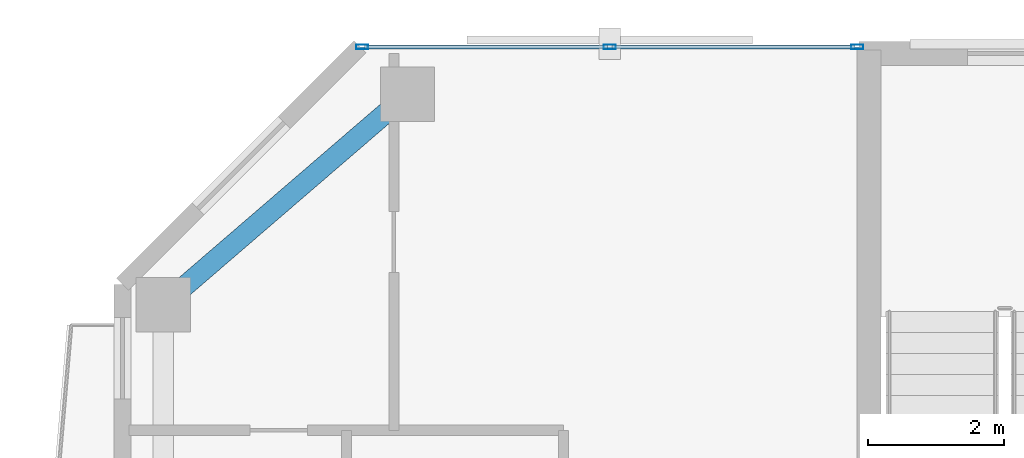
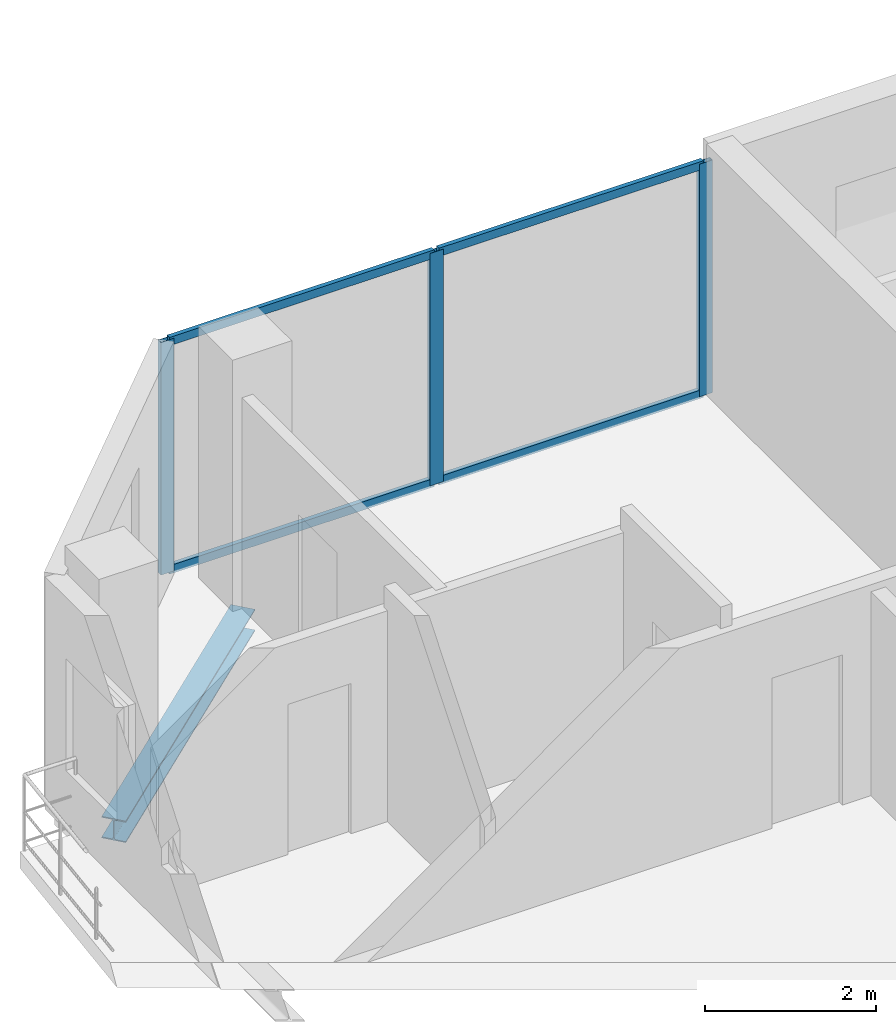
# One storey, part 15 of 23: 7 members, 1 beam, 1 element without a shape of its own.
"""IFC4 building model written with IfcOpenShell, lengths in metres."""

from ifc_helpers import new_model, si_unit, direction, frame, origin, origin_2d, place, context, subcontext, project, spatial, hollow_rectangle, i_section, extrude, material, layer, layer_set, material_profile, profile_set, type_object, element, aggregate, save


model = new_model("IFC4")

# Units and contexts
model_context = context("Model", 3, precision=1e-05, world=origin(), true_north=direction((0.0, 1.0)))
body_context = subcontext(model_context, "Body", "Model", "MODEL_VIEW")
ifc_project = project(units=[si_unit("LENGTHUNIT", "METRE"), si_unit("AREAUNIT", "SQUARE_METRE"), si_unit("VOLUMEUNIT", "CUBIC_METRE"), si_unit("PLANEANGLEUNIT", "RADIAN"), si_unit("MASSUNIT", "GRAM", prefix="KILO")], contexts=[model_context])

# Site, building, storey
site_placement = place(None, origin())
site = spatial("IfcSite", under=ifc_project, at=site_placement, CompositionType="ELEMENT")
building_placement = place(site_placement, origin())
building = spatial("IfcBuilding", under=site, at=building_placement, Name="Catumbela Crestline Tower", CompositionType="ELEMENT")
storey_placement = place(building_placement, frame((0.0, 0.0, 168.6)))
storey = spatial("IfcBuildingStorey", under=building, at=storey_placement, Name="L43", CompositionType="ELEMENT", Elevation=168.6)

# Curtain wall, members
ifc_material_1 = material(Name="Aluminium alloy AW-6060-T66", Category="aluminium")
ifc_layer = layer(ifc_material_1, 0.18, Name="Aluminium alloy AW-6060-T66")
ifc_layer_set = layer_set([ifc_layer], Name="Aluminium alloy AW-6060-T66")
curtain_wall_type = type_object("IfcCurtainWallType", Name="CWU-Z3", PredefinedType="USERDEFINED", material=ifc_layer_set)
curtain_wall_placement = place(storey_placement, origin())
curtain_wall = element("IfcCurtainWall", 1, at=curtain_wall_placement, inside=storey, type_object=curtain_wall_type, Name="L43 Unitised Curtain Wall CW-L43-E7S2", ObjectType="UNITISED", PredefinedType="USERDEFINED")
ifc_material_profile_1 = material_profile(ifc_material_1, hollow_rectangle(XDim=0.065, YDim=0.18, WallThickness=0.004, at=origin_2d()), Name="ALU 180x65x4")
ifc_profile_set_1 = profile_set([ifc_material_profile_1], Name="Aluminium alloy AW-6060-T66")
member_type_1 = type_object("IfcMemberType", Name="MUL-180X65", PredefinedType="MULLION", material=ifc_profile_set_1)
member_1_placement = place(storey_placement, frame((15.8275, 43.0, 0.0), z_axis=(0.0, 0.0, 1.0), x_axis=(0.0, -1.0, 0.0)))
member_1 = element("IfcMember", 2, at=member_1_placement, type_object=member_type_1, Name="CWU-Z3 mullion 1", PredefinedType="MULLION", context=body_context, shape_type="SweptSolid", body=[
    extrude(hollow_rectangle(XDim=0.065, YDim=0.18, WallThickness=0.004, at=origin_2d()), origin(), (0.0, 0.0, 1.0), 3.33),
])
member_2_placement = place(storey_placement, frame((12.18, 43.0, 0.0), z_axis=(0.0, 0.0, 1.0), x_axis=(0.0, -1.0, 0.0)))
member_2 = element("IfcMember", 3, at=member_2_placement, type_object=member_type_1, Name="CWU-Z3 mullion 2", PredefinedType="MULLION", context=body_context, shape_type="SweptSolid", body=[
    extrude(hollow_rectangle(XDim=0.065, YDim=0.18, WallThickness=0.004, at=origin_2d()), origin(), (0.0, 0.0, 1.0), 3.33),
])
member_3_placement = place(storey_placement, frame((8.5325, 43.0, 0.0), z_axis=(0.0, 0.0, 1.0), x_axis=(0.0, -1.0, 0.0)))
member_3 = element("IfcMember", 4, at=member_3_placement, type_object=member_type_1, Name="CWU-Z3 mullion 3", PredefinedType="MULLION", context=body_context, shape_type="SweptSolid", body=[
    extrude(hollow_rectangle(XDim=0.065, YDim=0.18, WallThickness=0.004, at=origin_2d()), origin(), (0.0, 0.0, 1.0), 3.33),
])

# Beam
ifc_material_2 = material(Name="Structural steel S355J2", Category="steel")
ifc_material_profile_2 = material_profile(ifc_material_2, i_section(OverallWidth=0.3, OverallDepth=0.31, WebThickness=0.009, FlangeThickness=0.0155, FilletRadius=0.027, at=origin_2d()), Name="HEA 320")
ifc_profile_set_2 = profile_set([ifc_material_profile_2], Name="Structural steel S355J2")
beam_type = type_object("IfcBeamType", Name="BS-HEA320", PredefinedType="SPANDREL", material=ifc_profile_set_2)
beam_placement = place(storey_placement, frame((5.6606, 39.2522, -0.415), z_axis=(0.757772392559, 0.652518966066, 0.0), x_axis=(-0.652518966066, 0.757772392559, 0.0)))
element("IfcBeam", 5, at=beam_placement, inside=storey, type_object=beam_type, Name="L43 Spandrel SP-L43-N10", PredefinedType="SPANDREL", context=body_context, shape_type="SweptSolid", body=[
    extrude(i_section(OverallWidth=0.3, OverallDepth=0.31, WebThickness=0.009, FlangeThickness=0.0155, FilletRadius=0.027, at=origin_2d()), origin(), (0.0, 0.0, 1.0), 4.5908),
])

# Member
ifc_material_profile_3 = material_profile(ifc_material_1, hollow_rectangle(XDim=0.06, YDim=0.12, WallThickness=0.0035, at=origin_2d()), Name="ALU 120x60x3.5")
ifc_profile_set_3 = profile_set([ifc_material_profile_3], Name="Aluminium alloy AW-6060-T66")
member_type_2 = type_object("IfcMemberType", Name="TRN-120X60", PredefinedType="USERDEFINED", material=ifc_profile_set_3)
member_4_placement = place(storey_placement, frame((15.795, 43.0, 0.03), z_axis=(-1.0, 0.0, 0.0), x_axis=(0.0, -1.0, 0.0)))
member_4 = element("IfcMember", 6, at=member_4_placement, type_object=member_type_2, Name="CWU-Z3 transom 1.1", ObjectType="TRANSOM", PredefinedType="USERDEFINED", context=body_context, shape_type="SweptSolid", body=[
    extrude(hollow_rectangle(XDim=0.06, YDim=0.12, WallThickness=0.0035, at=origin_2d()), origin(), (0.0, 0.0, 1.0), 3.5825),
])

member_5_placement = place(storey_placement, frame((15.795, 43.0, 3.3), z_axis=(-1.0, 0.0, 0.0), x_axis=(0.0, -1.0, 0.0)))
member_5 = element("IfcMember", 7, at=member_5_placement, type_object=member_type_2, Name="CWU-Z3 transom 1.2", ObjectType="TRANSOM", PredefinedType="USERDEFINED", context=body_context, shape_type="SweptSolid", body=[
    extrude(hollow_rectangle(XDim=0.06, YDim=0.12, WallThickness=0.0035, at=origin_2d()), origin(), (0.0, 0.0, 1.0), 3.5825),
])

member_6_placement = place(storey_placement, frame((12.1475, 43.0, 0.03), z_axis=(-1.0, 0.0, 0.0), x_axis=(0.0, -1.0, 0.0)))
member_6 = element("IfcMember", 8, at=member_6_placement, type_object=member_type_2, Name="CWU-Z3 transom 2.1", ObjectType="TRANSOM", PredefinedType="USERDEFINED", context=body_context, shape_type="SweptSolid", body=[
    extrude(hollow_rectangle(XDim=0.06, YDim=0.12, WallThickness=0.0035, at=origin_2d()), origin(), (0.0, 0.0, 1.0), 3.5825),
])

member_7_placement = place(storey_placement, frame((12.1475, 43.0, 3.3), z_axis=(-1.0, 0.0, 0.0), x_axis=(0.0, -1.0, 0.0)))
member_7 = element("IfcMember", 9, at=member_7_placement, type_object=member_type_2, Name="CWU-Z3 transom 2.2", ObjectType="TRANSOM", PredefinedType="USERDEFINED", context=body_context, shape_type="SweptSolid", body=[
    extrude(hollow_rectangle(XDim=0.06, YDim=0.12, WallThickness=0.0035, at=origin_2d()), origin(), (0.0, 0.0, 1.0), 3.5825),
])

aggregate(curtain_wall, [member_1, member_2, member_3, member_4, member_5, member_6, member_7])

save(model, "model.ifc")
